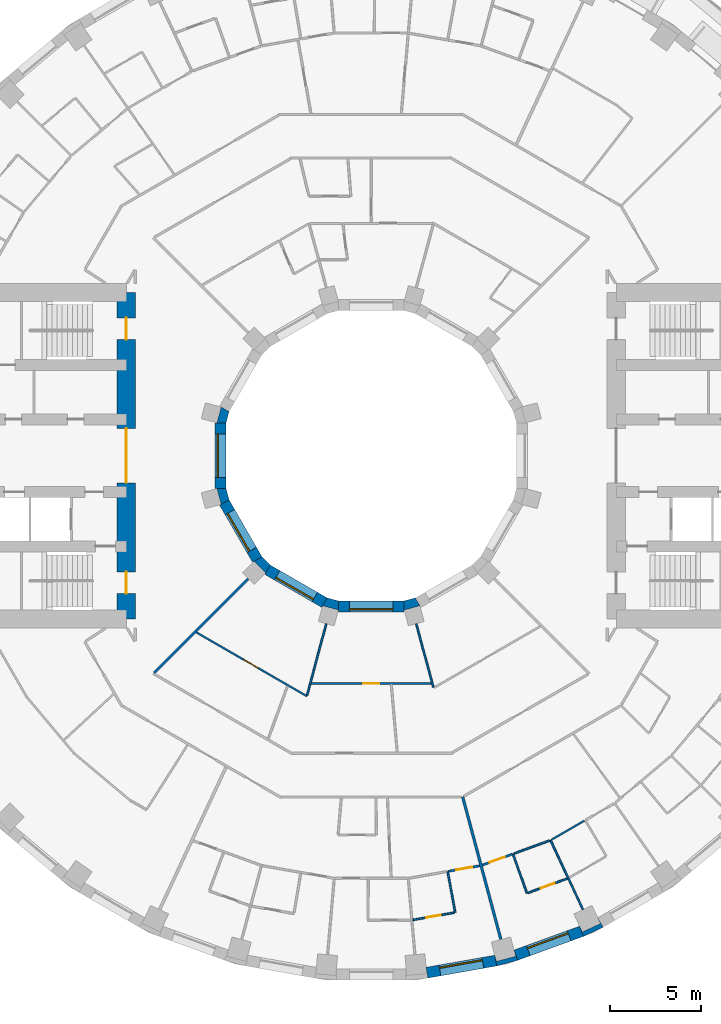
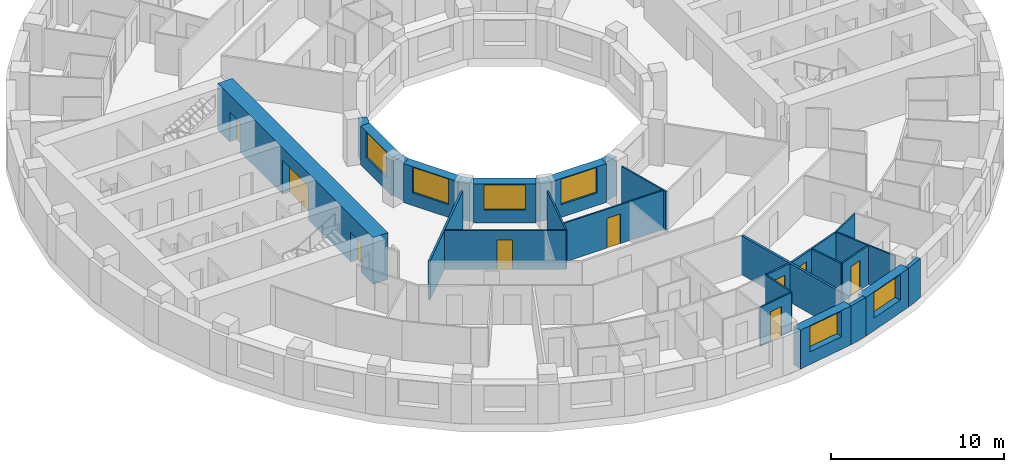
# One storey, part 6 of 15: 29 walls, 9 doors, 6 windows, 15 openings.
"""IFC4 building model written with IfcOpenShell, lengths in metres."""

from ifc_helpers import new_model, si_unit, direction, frame, frame_2d, origin, place, context, subcontext, project, spatial, polyline, rectangle, outline, extrude, material, layer, layer_set, type_object, element, fill, save


model = new_model("IFC4")

# Units and contexts
model_context = context("Model", 3, precision=1e-05, world=origin(), true_north=direction((0.0, 1.0)))
body_context = subcontext(model_context, "Body", "Model", "MODEL_VIEW")
ifc_project = project(units=[si_unit("LENGTHUNIT", "METRE"), si_unit("AREAUNIT", "SQUARE_METRE"), si_unit("VOLUMEUNIT", "CUBIC_METRE"), si_unit("PLANEANGLEUNIT", "RADIAN"), si_unit("MASSUNIT", "GRAM", prefix="KILO")], contexts=[model_context])

# Site, building, storey
site_placement = place(None, origin())
site = spatial("IfcSite", under=ifc_project, at=site_placement, CompositionType="ELEMENT")
building_placement = place(site_placement, origin())
building = spatial("IfcBuilding", under=site, at=building_placement, Name="Saqina Gate Tower", CompositionType="ELEMENT")
storey_placement = place(building_placement, frame((0.0, 0.0, 72.5)))
storey = spatial("IfcBuildingStorey", under=building, at=storey_placement, Name="L20", CompositionType="ELEMENT", Elevation=72.5)

# Walls
ifc_material_1 = material(Name="Brick masonry (red)", Category="masonry")
wall_type_1 = type_object("IfcWallType", Name="BRICK PIER COPING RED", PredefinedType="SOLIDWALL", material=ifc_material_1)
wall_1_placement = place(storey_placement, origin())
element("IfcWall", 1, at=wall_1_placement, inside=storey, type_object=wall_type_1, Name="Pier cap L20 column 29", PredefinedType="SOLIDWALL", context=body_context, shape_type="SweptSolid", body=[
    extrude(outline(polyline([(6.910400390625, -28.11669921875), (8.073974609375, -27.80517578125), (7.86865234375, -27.2412109375), (7.95947265625, -27.57958984375), (6.896728515625, -27.864501953125), (6.80615234375, -27.52587890625), (6.910400390625, -28.11669921875)])), origin(), (0.0, 0.0, 1.0), 2.75),
])
wall_2_placement = place(storey_placement, origin())
element("IfcWall", 2, at=wall_2_placement, inside=storey, type_object=wall_type_1, Name="Pier cap L20 column 30", PredefinedType="SOLIDWALL", context=body_context, shape_type="SweptSolid", body=[
    extrude(outline(polyline([(12.779541015625, -25.980712890625), (12.4794921875, -25.4609375), (12.627685546875, -25.778564453125), (11.630615234375, -26.243408203125), (11.482666015625, -25.92578125), (11.687744140625, -26.48974609375), (12.779541015625, -25.980712890625)])), origin(), (0.0, 0.0, 1.0), 2.75),
])

# Wall, opening, window
ifc_material_2 = material(Name="Brick masonry (red)", Category="masonry")
ifc_layer_1 = layer(ifc_material_2, 0.60009765625)
ifc_layer_set_1 = layer_set([ifc_layer_1], Name="FW-BRICK-RED")
wall_type_2 = type_object("IfcWallType", Name="FW-BRICK-RED", PredefinedType="SOLIDWALL", material=ifc_layer_set_1)
wall_3_placement = place(storey_placement, frame((3.07080078125, -28.4892578125, 0.0), z_axis=(0.0, 0.0, 1.0), x_axis=(0.984800809218, 0.173687553279, 0.0)))
wall_3 = element("IfcWall", 3, at=wall_3_placement, inside=storey, type_object=wall_type_2, Name="Facade wall L20 facet 28", PredefinedType="SOLIDWALL", context=body_context, shape_type="SweptSolid", body=[
    extrude(rectangle(XDim=3.845703125, YDim=0.60009765625, at=frame_2d((1.9228515625, 0.0))), origin(), (0.0, 0.0, 1.0), 2.75),
])
opening_1_placement = place(wall_3_placement, frame((0.722900390625, 0.0, 0.89990234375)))
opening_1 = element("IfcOpeningElement", 4, at=opening_1_placement, cuts=wall_3, Name="Opening G05-W17", PredefinedType="OPENING", context=body_context, shape_type="SweptSolid", body=[
    extrude(rectangle(XDim=2.39990234375, YDim=1.800048828125, at=frame_2d((1.199951171875, 0.89990234375))), frame((0.0, 0.31201171875, 0.0), z_axis=(0.0, -1.0, 0.0), x_axis=(1.0, 0.0, 0.0)), (0.0, 0.0, 1.0), 0.6240234375),
])
ifc_material_3 = material(Name="Aluminium glazing", Category="aluminium")
window_type_1 = type_object("IfcWindowType", Name="WN-A", PartitioningType="SINGLE_PANEL", PredefinedType="WINDOW", material=ifc_material_3)
window_1_placement = place(opening_1_placement, origin())
window_1 = element("IfcWindow", 5, at=window_1_placement, inside=storey, type_object=window_type_1, Name="Window L20 facet 28", OverallHeight=1.800048828125, OverallWidth=2.39990234375, PartitioningType="SINGLE_PANEL", PredefinedType="WINDOW", context=body_context, shape_type="SweptSolid", body=[
    extrude(rectangle(XDim=2.39990234375, YDim=1.800048828125, at=frame_2d((1.199951171875, 0.89990234375))), frame((0.0, 0.179931640625, 0.0), z_axis=(0.0, -1.0, 0.0), x_axis=(1.0, 0.0, 0.0)), (0.0, 0.0, 1.0), 0.06005859375),
])
fill(opening_1, window_1)

wall_4_placement = place(storey_placement, frame((7.97119140625, -27.523193359375, 0.0), z_axis=(0.0, 0.0, 1.0), x_axis=(0.939689588564, 0.342028474173, 0.0)))
wall_4 = element("IfcWall", 6, at=wall_4_placement, inside=storey, type_object=wall_type_2, Name="Facade wall L20 facet 29", PredefinedType="SOLIDWALL", context=body_context, shape_type="SweptSolid", body=[
    extrude(rectangle(XDim=3.845947265625, YDim=0.60009765625, at=frame_2d((1.9228515625, 0.0))), origin(), (0.0, 0.0, 1.0), 2.75),
])
opening_2_placement = place(wall_4_placement, frame((0.722900390625, 0.0, 0.89990234375)))
opening_2 = element("IfcOpeningElement", 7, at=opening_2_placement, cuts=wall_4, Name="Opening G05-W18", PredefinedType="OPENING", context=body_context, shape_type="SweptSolid", body=[
    extrude(rectangle(XDim=2.39990234375, YDim=1.800048828125, at=frame_2d((1.199951171875, 0.89990234375))), frame((0.0, 0.31201171875, 0.0), z_axis=(0.0, -1.0, 0.0), x_axis=(1.0, 0.0, 0.0)), (0.0, 0.0, 1.0), 0.6240234375),
])
window_2_placement = place(opening_2_placement, origin())
window_2 = element("IfcWindow", 8, at=window_2_placement, inside=storey, type_object=window_type_1, Name="Window L20 facet 29", OverallHeight=1.800048828125, OverallWidth=2.39990234375, PartitioningType="SINGLE_PANEL", PredefinedType="WINDOW", context=body_context, shape_type="SweptSolid", body=[
    extrude(rectangle(XDim=2.39990234375, YDim=1.800048828125, at=frame_2d((1.199951171875, 0.89990234375))), frame((0.0, 0.179931640625, 0.0), z_axis=(0.0, -1.0, 0.0), x_axis=(1.0, 0.0, 0.0)), (0.0, 0.0, 1.0), 0.06005859375),
])
fill(opening_2, window_2)

ifc_material_4 = material(Name="Glazed ceramic tile", Category="ceramic")
ifc_layer_2 = layer(ifc_material_4, 0.60009765625)
ifc_layer_set_2 = layer_set([ifc_layer_2], Name="IW-TILE")
wall_type_3 = type_object("IfcWallType", Name="IW-TILE", PredefinedType="SOLIDWALL", material=ifc_layer_set_2)
wall_5_placement = place(storey_placement, frame((-8.300048828125, 1.8125, 0.0), z_axis=(0.0, 0.0, 1.0), x_axis=(0.0, -1.0, 0.0)))
wall_5 = element("IfcWall", 9, at=wall_5_placement, inside=storey, type_object=wall_type_3, Name="Well wall L20 facet 6", PredefinedType="SOLIDWALL", context=body_context, shape_type="SweptSolid", body=[
    extrude(rectangle(XDim=3.625, YDim=0.60009765625, at=frame_2d((1.8125, 0.0))), origin(), (0.0, 0.0, 1.0), 2.75),
])
opening_3_placement = place(wall_5_placement, frame((0.612548828125, 0.0, 0.89990234375)))
opening_3 = element("IfcOpeningElement", 10, at=opening_3_placement, cuts=wall_5, Name="Opening G05-W28", PredefinedType="OPENING", context=body_context, shape_type="SweptSolid", body=[
    extrude(rectangle(XDim=2.39990234375, YDim=1.800048828125, at=frame_2d((1.199951171875, 0.89990234375))), frame((0.0, 0.31201171875, 0.0), z_axis=(0.0, -1.0, 0.0), x_axis=(1.0, 0.0, 0.0)), (0.0, 0.0, 1.0), 0.6240234375),
])
ifc_material_5 = material(Name="Aluminium glazing", Category="aluminium")
window_type_2 = type_object("IfcWindowType", Name="WN-W", PartitioningType="SINGLE_PANEL", PredefinedType="WINDOW", material=ifc_material_5)
window_3_placement = place(opening_3_placement, origin())
window_3 = element("IfcWindow", 11, at=window_3_placement, inside=storey, type_object=window_type_2, Name="Well window L20 facet 6", OverallHeight=1.800048828125, OverallWidth=2.39990234375, PartitioningType="SINGLE_PANEL", PredefinedType="WINDOW", context=body_context, shape_type="SweptSolid", body=[
    extrude(rectangle(XDim=2.39990234375, YDim=1.800048828125, at=frame_2d((1.199951171875, 0.89990234375))), frame((0.0, -0.119873046875, 0.0), z_axis=(0.0, -1.0, 0.0), x_axis=(1.0, 0.0, 0.0)), (0.0, 0.0, 1.0), 0.06005859375),
])
fill(opening_3, window_3)

wall_6_placement = place(storey_placement, frame((-8.09423828125, -2.580322265625, 0.0), z_axis=(0.0, 0.0, 1.0), x_axis=(0.499992569217, -0.866029693906, 0.0)))
wall_6 = element("IfcWall", 12, at=wall_6_placement, inside=storey, type_object=wall_type_3, Name="Well wall L20 facet 7", PredefinedType="SOLIDWALL", context=body_context, shape_type="SweptSolid", body=[
    extrude(rectangle(XDim=3.625, YDim=0.60009765625, at=frame_2d((1.8125, 0.0))), origin(), (0.0, 0.0, 1.0), 2.75),
])
opening_4_placement = place(wall_6_placement, frame((0.612548828125, 0.0, 0.89990234375)))
opening_4 = element("IfcOpeningElement", 13, at=opening_4_placement, cuts=wall_6, Name="Opening G05-W29", PredefinedType="OPENING", context=body_context, shape_type="SweptSolid", body=[
    extrude(rectangle(XDim=2.39990234375, YDim=1.800048828125, at=frame_2d((1.199951171875, 0.89990234375))), frame((0.0, 0.31201171875, 0.0), z_axis=(0.0, -1.0, 0.0), x_axis=(1.0, 0.0, 0.0)), (0.0, 0.0, 1.0), 0.6240234375),
])
window_4_placement = place(opening_4_placement, origin())
window_4 = element("IfcWindow", 14, at=window_4_placement, inside=storey, type_object=window_type_2, Name="Well window L20 facet 7", OverallHeight=1.800048828125, OverallWidth=2.39990234375, PartitioningType="SINGLE_PANEL", PredefinedType="WINDOW", context=body_context, shape_type="SweptSolid", body=[
    extrude(rectangle(XDim=2.39990234375, YDim=1.800048828125, at=frame_2d((1.199951171875, 0.89990234375))), frame((0.0, -0.119873046875, 0.0), z_axis=(0.0, -1.0, 0.0), x_axis=(1.0, 0.0, 0.0)), (0.0, 0.0, 1.0), 0.06005859375),
])
fill(opening_4, window_4)

wall_7_placement = place(storey_placement, frame((-5.7197265625, -6.28173828125, 0.0), z_axis=(0.0, 0.0, 1.0), x_axis=(0.866029693906, -0.499992569217, 0.0)))
wall_7 = element("IfcWall", 15, at=wall_7_placement, inside=storey, type_object=wall_type_3, Name="Well wall L20 facet 8", PredefinedType="SOLIDWALL", context=body_context, shape_type="SweptSolid", body=[
    extrude(rectangle(XDim=3.625, YDim=0.60009765625, at=frame_2d((1.8125, 0.0))), origin(), (0.0, 0.0, 1.0), 2.75),
])
opening_5_placement = place(wall_7_placement, frame((0.612548828125, 0.0, 0.89990234375)))
opening_5 = element("IfcOpeningElement", 16, at=opening_5_placement, cuts=wall_7, Name="Opening G05-W30", PredefinedType="OPENING", context=body_context, shape_type="SweptSolid", body=[
    extrude(rectangle(XDim=2.39990234375, YDim=1.800048828125, at=frame_2d((1.199951171875, 0.89990234375))), frame((0.0, 0.31201171875, 0.0), z_axis=(0.0, -1.0, 0.0), x_axis=(1.0, 0.0, 0.0)), (0.0, 0.0, 1.0), 0.6240234375),
])
window_5_placement = place(opening_5_placement, origin())
window_5 = element("IfcWindow", 17, at=window_5_placement, inside=storey, type_object=window_type_2, Name="Well window L20 facet 8", OverallHeight=1.800048828125, OverallWidth=2.39990234375, PartitioningType="SINGLE_PANEL", PredefinedType="WINDOW", context=body_context, shape_type="SweptSolid", body=[
    extrude(rectangle(XDim=2.39990234375, YDim=1.800048828125, at=frame_2d((1.199951171875, 0.89990234375))), frame((0.0, -0.119873046875, 0.0), z_axis=(0.0, -1.0, 0.0), x_axis=(1.0, 0.0, 0.0)), (0.0, 0.0, 1.0), 0.06005859375),
])
fill(opening_5, window_5)

wall_8_placement = place(storey_placement, frame((-1.8125, -8.300048828125, 0.0), z_axis=(0.0, 0.0, 1.0), x_axis=(1.0, 0.0, 0.0)))
wall_8 = element("IfcWall", 18, at=wall_8_placement, inside=storey, type_object=wall_type_3, Name="Well wall L20 facet 9", PredefinedType="SOLIDWALL", context=body_context, shape_type="SweptSolid", body=[
    extrude(rectangle(XDim=3.625, YDim=0.60009765625, at=frame_2d((1.8125, 0.0))), origin(), (0.0, 0.0, 1.0), 2.75),
])
opening_6_placement = place(wall_8_placement, frame((0.612548828125, 0.0, 0.89990234375)))
opening_6 = element("IfcOpeningElement", 19, at=opening_6_placement, cuts=wall_8, Name="Opening G05-W31", PredefinedType="OPENING", context=body_context, shape_type="SweptSolid", body=[
    extrude(rectangle(XDim=2.39990234375, YDim=1.800048828125, at=frame_2d((1.199951171875, 0.89990234375))), frame((0.0, 0.31201171875, 0.0), z_axis=(0.0, -1.0, 0.0), x_axis=(1.0, 0.0, 0.0)), (0.0, 0.0, 1.0), 0.6240234375),
])
window_6_placement = place(opening_6_placement, origin())
window_6 = element("IfcWindow", 20, at=window_6_placement, inside=storey, type_object=window_type_2, Name="Well window L20 facet 9", OverallHeight=1.800048828125, OverallWidth=2.39990234375, PartitioningType="SINGLE_PANEL", PredefinedType="WINDOW", context=body_context, shape_type="SweptSolid", body=[
    extrude(rectangle(XDim=2.39990234375, YDim=1.800048828125, at=frame_2d((1.199951171875, 0.89990234375))), frame((0.0, -0.119873046875, 0.0), z_axis=(0.0, -1.0, 0.0), x_axis=(1.0, 0.0, 0.0)), (0.0, 0.0, 1.0), 0.06005859375),
])
fill(opening_6, window_6)

# Walls
ifc_material_6 = material(Name="Gypsum board on steel studs, 100 mm", Category="steel")
ifc_layer_3 = layer(ifc_material_6, 0.10009765625)
ifc_layer_set_3 = layer_set([ifc_layer_3], Name="PARTITION 100")
wall_type_4 = type_object("IfcWallType", Name="PARTITION 100", PredefinedType="PARTITIONING", material=ifc_layer_set_3)
wall_9_placement = place(storey_placement, frame((4.208984375, -22.906982421875, 0.0), z_axis=(0.0, 0.0, 1.0), x_axis=(0.180884135875, -0.983504412491, 0.0)))
element("IfcWall", 21, at=wall_9_placement, inside=storey, type_object=wall_type_4, Name="PARTITION PW3-10", PredefinedType="PARTITIONING", context=body_context, shape_type="SweptSolid", body=[
    extrude(rectangle(XDim=2.2998046875, YDim=0.10009765625, at=frame_2d((1.14990234375, 0.0))), origin(), (0.0, 0.0, 1.0), 2.75),
])
wall_10_placement = place(storey_placement, frame((2.48291015625, -9.265380859375, 0.0), z_axis=(0.0, 0.0, 1.0), x_axis=(0.258862308746, -0.965914232792, 0.0)))
element("IfcWall", 22, at=wall_10_placement, inside=storey, type_object=wall_type_4, Name="PARTITION PW3-14", PredefinedType="PARTITIONING", context=body_context, shape_type="SweptSolid", body=[
    extrude(rectangle(XDim=3.609375, YDim=0.10009765625, at=frame_2d((1.8046875, 0.0))), origin(), (0.0, 0.0, 1.0), 2.75),
])
wall_11_placement = place(storey_placement, frame((7.80810546875, -21.94189453125, 0.0), z_axis=(0.0, 0.0, 1.0), x_axis=(0.335206501266, -0.942144681835, 0.0)))
element("IfcWall", 23, at=wall_11_placement, inside=storey, type_object=wall_type_4, Name="PARTITION PW3-16", PredefinedType="PARTITIONING", context=body_context, shape_type="SweptSolid", body=[
    extrude(rectangle(XDim=2.300048828125, YDim=0.10009765625, at=frame_2d((1.14990234375, 0.0))), origin(), (0.0, 0.0, 1.0), 2.75),
])
wall_12_placement = place(storey_placement, frame((9.8798828125, -21.18798828125, 0.0), z_axis=(0.0, 0.0, 1.0), x_axis=(0.422631582156, -0.906301575506, 0.0)))
element("IfcWall", 24, at=wall_12_placement, inside=storey, type_object=wall_type_4, Name="PARTITION PW3-20", PredefinedType="PARTITIONING", context=body_context, shape_type="SweptSolid", body=[
    extrude(rectangle(XDim=4.211669921875, YDim=0.10009765625, at=frame_2d((2.10595703125, 0.0))), origin(), (0.0, 0.0, 1.0), 2.75),
])

# Wall, opening, door
wall_13_placement = place(storey_placement, frame((-9.645751953125, -9.731201171875, 0.0), z_axis=(0.0, 0.0, 1.0), x_axis=(0.866059669785, -0.49994064485, 0.0)))
wall_13 = element("IfcWall", 25, at=wall_13_placement, inside=storey, type_object=wall_type_4, Name="PARTITION PW3-44", PredefinedType="PARTITIONING", context=body_context, shape_type="SweptSolid", body=[
    extrude(rectangle(XDim=7.038330078125, YDim=0.10009765625, at=frame_2d((3.51904296875, 0.0))), origin(), (0.0, 0.0, 1.0), 2.75),
])
opening_7_placement = place(wall_13_placement, frame((3.0380859375, 0.0, 0.0)))
opening_7 = element("IfcOpeningElement", 26, at=opening_7_placement, cuts=wall_13, Name="Opening G05-D39", PredefinedType="OPENING", context=body_context, shape_type="SweptSolid", body=[
    extrude(rectangle(XDim=0.89990234375, YDim=2.10009765625, at=frame_2d((0.449951171875, 1.050048828125))), frame((0.0, 0.06201171875, 0.0), z_axis=(0.0, -1.0, 0.0), x_axis=(1.0, 0.0, 0.0)), (0.0, 0.0, 1.0), 0.1240234375),
])
ifc_material_7 = material(Name="Timber door leaf, 900 mm", Category="wood")
door_type_1 = type_object("IfcDoorType", Name="DOOR 900 TIMBER", OperationType="SINGLE_SWING_LEFT", PredefinedType="DOOR", material=ifc_material_7)
door_1_placement = place(opening_7_placement, origin())
door_1 = element("IfcDoor", 27, at=door_1_placement, inside=storey, type_object=door_type_1, Name="DOOR G05-D39", OperationType="SINGLE_SWING_LEFT", OverallHeight=2.10009765625, OverallWidth=0.89990234375, PredefinedType="DOOR", context=body_context, shape_type="SweptSolid", body=[
    extrude(rectangle(XDim=0.89990234375, YDim=2.10009765625, at=frame_2d((0.449951171875, 1.050048828125))), frame((0.0, 0.02490234375, 0.0), z_axis=(0.0, -1.0, 0.0), x_axis=(1.0, 0.0, 0.0)), (0.0, 0.0, 1.0), 0.050048828125),
])
fill(opening_7, door_1)

wall_14_placement = place(storey_placement, frame((-3.3125, -12.550048828125, 0.0), z_axis=(0.0, 0.0, 1.0), x_axis=(1.0, 0.0, 0.0)))
wall_14 = element("IfcWall", 28, at=wall_14_placement, inside=storey, type_object=wall_type_4, Name="PARTITION PW3-61", PredefinedType="PARTITIONING", context=body_context, shape_type="SweptSolid", body=[
    extrude(rectangle(XDim=6.62548828125, YDim=0.10009765625, at=frame_2d((3.312744140625, 0.0))), origin(), (0.0, 0.0, 1.0), 2.75),
])
opening_8_placement = place(wall_14_placement, frame((2.862548828125, 0.0, 0.0)))
opening_8 = element("IfcOpeningElement", 29, at=opening_8_placement, cuts=wall_14, Name="Opening G05-D49", PredefinedType="OPENING", context=body_context, shape_type="SweptSolid", body=[
    extrude(rectangle(XDim=0.89990234375, YDim=2.10009765625, at=frame_2d((0.449951171875, 1.050048828125))), frame((0.0, 0.06201171875, 0.0), z_axis=(0.0, -1.0, 0.0), x_axis=(1.0, 0.0, 0.0)), (0.0, 0.0, 1.0), 0.1240234375),
])
door_2_placement = place(opening_8_placement, frame((0.89990234375, 0.0, 0.0), z_axis=(0.0, 0.0, 1.0), x_axis=(-1.0, 0.0, 0.0)))
door_2 = element("IfcDoor", 30, at=door_2_placement, inside=storey, type_object=door_type_1, Name="DOOR G05-D49", OperationType="SINGLE_SWING_RIGHT", OverallHeight=2.10009765625, OverallWidth=0.89990234375, PredefinedType="DOOR", context=body_context, shape_type="SweptSolid", body=[
    extrude(rectangle(XDim=0.89990234375, YDim=2.10009765625, at=frame_2d((0.449951171875, 1.050048828125))), frame((0.0, 0.02490234375, 0.0), z_axis=(0.0, -1.0, 0.0), x_axis=(1.0, 0.0, 0.0)), (0.0, 0.0, 1.0), 0.050048828125),
])
fill(opening_8, door_2)

wall_15_placement = place(storey_placement, frame((2.288330078125, -25.581298828125, 0.0), z_axis=(0.0, 0.0, 1.0), x_axis=(0.984789907179, 0.173749356022, 0.0)))
wall_15 = element("IfcWall", 31, at=wall_15_placement, inside=storey, type_object=wall_type_4, Name="PARTITION PW3-67", PredefinedType="PARTITIONING", context=body_context, shape_type="SweptSolid", body=[
    extrude(rectangle(XDim=2.32275390625, YDim=0.10009765625, at=frame_2d((1.161376953125, 0.0))), origin(), (0.0, 0.0, 1.0), 2.75),
])
opening_9_placement = place(wall_15_placement, frame((0.761474609375, 0.0, 0.0)))
opening_9 = element("IfcOpeningElement", 32, at=opening_9_placement, cuts=wall_15, Name="Opening G05-D52", PredefinedType="OPENING", context=body_context, shape_type="SweptSolid", body=[
    extrude(rectangle(XDim=0.800048828125, YDim=2.10009765625, at=frame_2d((0.39990234375, 1.050048828125))), frame((0.0, 0.06201171875, 0.0), z_axis=(0.0, -1.0, 0.0), x_axis=(1.0, 0.0, 0.0)), (0.0, 0.0, 1.0), 0.1240234375),
])
ifc_material_8 = material(Name="Timber door leaf, 800 mm", Category="wood")
door_type_2 = type_object("IfcDoorType", Name="DOOR 800 TIMBER", OperationType="SINGLE_SWING_LEFT", PredefinedType="DOOR", material=ifc_material_8)
door_3_placement = place(opening_9_placement, frame((0.800048828125, 0.0, 0.0), z_axis=(0.0, 0.0, 1.0), x_axis=(-1.0, 0.0, 0.0)))
door_3 = element("IfcDoor", 33, at=door_3_placement, inside=storey, type_object=door_type_2, Name="DOOR G05-D52", OperationType="SINGLE_SWING_RIGHT", OverallHeight=2.10009765625, OverallWidth=0.800048828125, PredefinedType="DOOR", context=body_context, shape_type="SweptSolid", body=[
    extrude(rectangle(XDim=0.800048828125, YDim=2.10009765625, at=frame_2d((0.39990234375, 1.050048828125))), frame((0.0, 0.02490234375, 0.0), z_axis=(0.0, -1.0, 0.0), x_axis=(1.0, 0.0, 0.0)), (0.0, 0.0, 1.0), 0.050048828125),
])
fill(opening_9, door_3)

wall_16_placement = place(storey_placement, frame((8.6259765625, -24.091796875, 0.0), z_axis=(0.0, 0.0, 1.0), x_axis=(0.939814902169, 0.341683990936, 0.0)))
wall_16 = element("IfcWall", 34, at=wall_16_placement, inside=storey, type_object=wall_type_4, Name="PARTITION PW3-71", PredefinedType="PARTITIONING", context=body_context, shape_type="SweptSolid", body=[
    extrude(rectangle(XDim=2.322998046875, YDim=0.10009765625, at=frame_2d((1.16162109375, 0.0))), origin(), (0.0, 0.0, 1.0), 2.75),
])
opening_10_placement = place(wall_16_placement, frame((0.761474609375, 0.0, 0.0)))
opening_10 = element("IfcOpeningElement", 35, at=opening_10_placement, cuts=wall_16, Name="Opening G05-D55", PredefinedType="OPENING", context=body_context, shape_type="SweptSolid", body=[
    extrude(rectangle(XDim=0.800048828125, YDim=2.10009765625, at=frame_2d((0.39990234375, 1.050048828125))), frame((0.0, 0.06201171875, 0.0), z_axis=(0.0, -1.0, 0.0), x_axis=(1.0, 0.0, 0.0)), (0.0, 0.0, 1.0), 0.1240234375),
])
door_4_placement = place(opening_10_placement, frame((0.800048828125, 0.0, 0.0), z_axis=(0.0, 0.0, 1.0), x_axis=(-1.0, 0.0, 0.0)))
door_4 = element("IfcDoor", 36, at=door_4_placement, inside=storey, type_object=door_type_2, Name="DOOR G05-D55", OperationType="SINGLE_SWING_RIGHT", OverallHeight=2.10009765625, OverallWidth=0.800048828125, PredefinedType="DOOR", context=body_context, shape_type="SweptSolid", body=[
    extrude(rectangle(XDim=0.800048828125, YDim=2.10009765625, at=frame_2d((0.39990234375, 1.050048828125))), frame((0.0, 0.02490234375, 0.0), z_axis=(0.0, -1.0, 0.0), x_axis=(1.0, 0.0, 0.0)), (0.0, 0.0, 1.0), 0.050048828125),
])
fill(opening_10, door_4)

# Walls
for number, where, z_axis, x_axis, name in (
    (37, (7.85498046875, -21.9248046875, 0.0), (0.0, 0.0, 1.0), (0.939725675468, 0.341929312674, 0.0), "PARTITION PW3-72"),
    (38, (9.92333984375, -21.1630859375, 0.0), (0.0, 0.0, 1.0), (0.866158552195, 0.499769309241, 0.0), "PARTITION PW3-76"),
):
    element("IfcWall", number, at=place(storey_placement, frame(where, z_axis=z_axis, x_axis=x_axis)), inside=storey, type_object=wall_type_4, Name=name, PredefinedType="PARTITIONING", context=body_context, shape_type="SweptSolid", body=[
        extrude(rectangle(XDim=2.10498046875, YDim=0.10009765625, at=frame_2d((1.052490234375, 0.0))), origin(), (0.0, 0.0, 1.0), 2.75),
    ])
wall_17_placement = place(storey_placement, frame((-3.537109375, -13.20166015625, 0.0), z_axis=(0.0, 0.0, 1.0), x_axis=(0.258810949593, 0.965927995438, 0.0)))
element("IfcWall", 39, at=wall_17_placement, inside=storey, type_object=wall_type_4, Name="PARTITION PW3-106", PredefinedType="PARTITIONING", context=body_context, shape_type="SweptSolid", body=[
    extrude(rectangle(XDim=4.0751953125, YDim=0.10009765625, at=frame_2d((2.03759765625, 0.0))), origin(), (0.0, 0.0, 1.0), 2.75),
])

# Wall, opening, door
ifc_material_9 = material(Name="Gypsum board on steel studs, 125 mm, fire rated", Category="steel")
ifc_layer_4 = layer(ifc_material_9, 0.125)
ifc_layer_set_4 = layer_set([ifc_layer_4], Name="PARTITION EI 30 125")
wall_type_5 = type_object("IfcWallType", Name="PARTITION EI 30 125", PredefinedType="PARTITIONING", material=ifc_layer_set_4)
wall_18_placement = place(storey_placement, frame((4.25830078125, -22.898193359375, 0.0), z_axis=(0.0, 0.0, 1.0), x_axis=(0.984792007097, 0.173737453525, 0.0)))
wall_18 = element("IfcWall", 40, at=wall_18_placement, inside=storey, type_object=wall_type_5, Name="PARTITION PW1-27", PredefinedType="PARTITIONING", context=body_context, shape_type="SweptSolid", body=[
    extrude(rectangle(XDim=1.745361328125, YDim=0.125, at=frame_2d((0.87255859375, 0.0))), origin(), (0.0, 0.0, 1.0), 2.75),
])
opening_11_placement = place(wall_18_placement, frame((0.435302734375, 0.0, 0.0)))
opening_11 = element("IfcOpeningElement", 41, at=opening_11_placement, cuts=wall_18, Name="Opening G05-D53", PredefinedType="OPENING", context=body_context, shape_type="SweptSolid", body=[
    extrude(rectangle(XDim=0.89990234375, YDim=2.10009765625, at=frame_2d((0.449951171875, 1.050048828125))), frame((0.0, 0.074462890625, 0.0), z_axis=(0.0, -1.0, 0.0), x_axis=(1.0, 0.0, 0.0)), (0.0, 0.0, 1.0), 0.14892578125),
])
ifc_material_10 = material(Name="Fire door leaf EI 30, 900 mm")
door_type_3 = type_object("IfcDoorType", Name="DOOR 900 EI 30", OperationType="SINGLE_SWING_LEFT", PredefinedType="DOOR", material=ifc_material_10)
door_5_placement = place(opening_11_placement, origin())
door_5 = element("IfcDoor", 42, at=door_5_placement, inside=storey, type_object=door_type_3, Name="DOOR G05-D53", OperationType="SINGLE_SWING_RIGHT", OverallHeight=2.10009765625, OverallWidth=0.89990234375, PredefinedType="DOOR", context=body_context, shape_type="SweptSolid", body=[
    extrude(rectangle(XDim=0.89990234375, YDim=2.10009765625, at=frame_2d((0.449951171875, 1.050048828125))), frame((0.0, 0.02490234375, 0.0), z_axis=(0.0, -1.0, 0.0), x_axis=(1.0, 0.0, 0.0)), (0.0, 0.0, 1.0), 0.050048828125),
])
fill(opening_11, door_5)

wall_19_placement = place(storey_placement, frame((6.12158203125, -22.556396484375, 0.0), z_axis=(0.0, 0.0, 1.0), x_axis=(0.939605351125, 0.342259819635, 0.0)))
wall_19 = element("IfcWall", 43, at=wall_19_placement, inside=storey, type_object=wall_type_5, Name="PARTITION PW1-29", PredefinedType="PARTITIONING", context=body_context, shape_type="SweptSolid", body=[
    extrude(rectangle(XDim=1.744873046875, YDim=0.125, at=frame_2d((0.87255859375, 0.0))), origin(), (0.0, 0.0, 1.0), 2.75),
])
opening_12_placement = place(wall_19_placement, frame((0.409912109375, 0.0, 0.0)))
opening_12 = element("IfcOpeningElement", 44, at=opening_12_placement, cuts=wall_19, Name="Opening G05-D54", PredefinedType="OPENING", context=body_context, shape_type="SweptSolid", body=[
    extrude(rectangle(XDim=0.89990234375, YDim=2.10009765625, at=frame_2d((0.449951171875, 1.050048828125))), frame((0.0, 0.074462890625, 0.0), z_axis=(0.0, -1.0, 0.0), x_axis=(1.0, 0.0, 0.0)), (0.0, 0.0, 1.0), 0.14892578125),
])
door_6_placement = place(opening_12_placement, origin())
door_6 = element("IfcDoor", 45, at=door_6_placement, inside=storey, type_object=door_type_3, Name="DOOR G05-D54", OperationType="SINGLE_SWING_LEFT", OverallHeight=2.10009765625, OverallWidth=0.89990234375, PredefinedType="DOOR", context=body_context, shape_type="SweptSolid", body=[
    extrude(rectangle(XDim=0.89990234375, YDim=2.10009765625, at=frame_2d((0.449951171875, 1.050048828125))), frame((0.0, 0.02490234375, 0.0), z_axis=(0.0, -1.0, 0.0), x_axis=(1.0, 0.0, 0.0)), (0.0, 0.0, 1.0), 0.050048828125),
])
fill(opening_12, door_6)

# Walls
wall_20_placement = place(storey_placement, frame((-11.9619140625, -11.9619140625, 0.0), z_axis=(0.0, 0.0, 1.0), x_axis=(0.707106781187, 0.707106781187, 0.0)))
element("IfcWall", 46, at=wall_20_placement, inside=storey, type_object=wall_type_5, Name="PARTITION PW1-42", PredefinedType="PARTITIONING", context=body_context, shape_type="SweptSolid", body=[
    extrude(rectangle(XDim=7.324462890625, YDim=0.125, at=frame_2d((3.662109375, 0.0))), origin(), (0.0, 0.0, 1.0), 2.75),
])
ifc_material_11 = material(Name="Gypsum board on steel studs, 150 mm, fire rated", Category="steel")
ifc_layer_5 = layer(ifc_material_11, 0.14990234375)
ifc_layer_set_5 = layer_set([ifc_layer_5], Name="PARTITION EI 60 150")
wall_type_6 = type_object("IfcWallType", Name="PARTITION EI 60 150", PredefinedType="PARTITIONING", material=ifc_layer_set_5)
wall_21_placement = place(storey_placement, frame((5.037109375, -18.800048828125, 0.0), z_axis=(0.0, 0.0, 1.0), x_axis=(0.258808663505, -0.96592860797, 0.0)))
element("IfcWall", 47, at=wall_21_placement, inside=storey, type_object=wall_type_6, Name="PARTITION PW2-01", PredefinedType="PARTITIONING", context=body_context, shape_type="SweptSolid", body=[
    extrude(rectangle(XDim=8.126708984375, YDim=0.14990234375, at=frame_2d((4.0634765625, 0.0))), origin(), (0.0, 0.0, 1.0), 2.75),
])

# Wall, openings, doors
ifc_material_12 = material(Name="Concrete C70/85", Category="concrete")
ifc_layer_6 = layer(ifc_material_12, 1.0)
ifc_layer_set_6 = layer_set([ifc_layer_6], Name="Concrete C70/85")
wall_type_7 = type_object("IfcWallType", Name="STR-CORE WALL-A-O", PredefinedType="SHEAR", material=ifc_layer_set_6)
wall_22_placement = place(storey_placement, frame((-13.5, -9.0, 0.0), z_axis=(0.0, 0.0, 1.0), x_axis=(0.0, 1.0, 0.0)))
wall_22 = element("IfcWall", 48, at=wall_22_placement, inside=storey, type_object=wall_type_7, Name="CORE WALL L20 W-W1", PredefinedType="SHEAR", context=body_context, shape_type="SweptSolid", body=[
    extrude(rectangle(XDim=18.0, YDim=1.0, at=frame_2d((9.0, 0.0))), origin(), (0.0, 0.0, 1.0), 3.300048828125),
])
opening_13_placement = place(wall_22_placement, frame((15.39990234375, 0.0, 0.0)))
opening_13 = element("IfcOpeningElement", 49, at=opening_13_placement, cuts=wall_22, Name="Opening G05-D119", PredefinedType="OPENING", context=body_context, shape_type="SweptSolid", body=[
    extrude(rectangle(XDim=1.199951171875, YDim=2.10009765625, at=frame_2d((0.60009765625, 1.050048828125))), frame((0.0, 0.511962890625, 0.0), z_axis=(0.0, -1.0, 0.0), x_axis=(1.0, 0.0, 0.0)), (0.0, 0.0, 1.0), 1.02392578125),
])
opening_14_placement = place(wall_22_placement, frame((1.39990234375, 0.0, 0.0)))
opening_14 = element("IfcOpeningElement", 50, at=opening_14_placement, cuts=wall_22, Name="Opening G05-D120", PredefinedType="OPENING", context=body_context, shape_type="SweptSolid", body=[
    extrude(rectangle(XDim=1.199951171875, YDim=2.10009765625, at=frame_2d((0.60009765625, 1.050048828125))), frame((0.0, 0.511962890625, 0.0), z_axis=(0.0, -1.0, 0.0), x_axis=(1.0, 0.0, 0.0)), (0.0, 0.0, 1.0), 1.02392578125),
])
opening_15_placement = place(wall_22_placement, frame((7.5, 0.0, 0.0)))
opening_15 = element("IfcOpeningElement", 51, at=opening_15_placement, cuts=wall_22, Name="Opening G05-D121", PredefinedType="OPENING", context=body_context, shape_type="SweptSolid", body=[
    extrude(rectangle(XDim=3.0, YDim=2.39990234375, at=frame_2d((1.5, 1.199951171875))), frame((0.0, 0.511962890625, 0.0), z_axis=(0.0, -1.0, 0.0), x_axis=(1.0, 0.0, 0.0)), (0.0, 0.0, 1.0), 1.02392578125),
])
ifc_material_13 = material(Name="Steel", Category="steel")
door_type_4 = type_object("IfcDoorType", Name="FIRE DOOR EI 60", OperationType="SINGLE_SWING_LEFT", PredefinedType="DOOR", material=ifc_material_13)
door_7_placement = place(opening_13_placement, origin())
door_7 = element("IfcDoor", 52, at=door_7_placement, inside=storey, type_object=door_type_4, Name="L20-CD-W30", OperationType="SINGLE_SWING_RIGHT", OverallHeight=2.10009765625, OverallWidth=1.199951171875, PredefinedType="DOOR", context=body_context, shape_type="SweptSolid", body=[
    extrude(rectangle(XDim=1.199951171875, YDim=2.10009765625, at=frame_2d((0.60009765625, 1.050048828125))), frame((0.0, 0.02490234375, 0.0), z_axis=(0.0, -1.0, 0.0), x_axis=(1.0, 0.0, 0.0)), (0.0, 0.0, 1.0), 0.050048828125),
])
fill(opening_13, door_7)
door_8_placement = place(opening_14_placement, origin())
door_8 = element("IfcDoor", 53, at=door_8_placement, inside=storey, type_object=door_type_4, Name="L20-CD-W31", OperationType="SINGLE_SWING_LEFT", OverallHeight=2.10009765625, OverallWidth=1.199951171875, PredefinedType="DOOR", context=body_context, shape_type="SweptSolid", body=[
    extrude(rectangle(XDim=1.199951171875, YDim=2.10009765625, at=frame_2d((0.60009765625, 1.050048828125))), frame((0.0, 0.02490234375, 0.0), z_axis=(0.0, -1.0, 0.0), x_axis=(1.0, 0.0, 0.0)), (0.0, 0.0, 1.0), 0.050048828125),
])
fill(opening_14, door_8)
ifc_material_14 = material(Name="Steel and fire-resisting glass", Category="steel")
door_type_5 = type_object("IfcDoorType", Name="LOBBY SCREEN DOOR", OperationType="DOUBLE_DOOR_SLIDING", PredefinedType="DOOR", material=ifc_material_14)
door_9_placement = place(opening_15_placement, origin())
door_9 = element("IfcDoor", 54, at=door_9_placement, inside=storey, type_object=door_type_5, Name="L20-CD-W32", OperationType="DOUBLE_DOOR_SLIDING", OverallHeight=2.39990234375, OverallWidth=3.0, PredefinedType="DOOR", context=body_context, shape_type="SweptSolid", body=[
    extrude(rectangle(XDim=3.0, YDim=2.39990234375, at=frame_2d((1.5, 1.199951171875))), frame((0.0, 0.02490234375, 0.0), z_axis=(0.0, -1.0, 0.0), x_axis=(1.0, 0.0, 0.0)), (0.0, 0.0, 1.0), 0.050048828125),
])
fill(opening_15, door_9)

# Walls
ifc_material_15 = material(Name="Glazed ceramic tile", Category="ceramic")
wall_type_8 = type_object("IfcWallType", Name="TILE PIER COPING", PredefinedType="SOLIDWALL", material=ifc_material_15)
wall_23_placement = place(storey_placement, origin())
element("IfcWall", 55, at=wall_23_placement, inside=storey, type_object=wall_type_8, Name="Well pier cap L20 column 6", PredefinedType="SOLIDWALL", context=body_context, shape_type="SweptSolid", body=[
    extrude(outline(polyline([(-8.502685546875, 1.8125), (-8.0, 1.8125), (-7.83447265625, 2.430419921875), (-8.27001953125, 2.681884765625), (-8.502685546875, 1.8125)])), origin(), (0.0, 0.0, 1.0), 2.75),
])
wall_24_placement = place(storey_placement, origin())
element("IfcWall", 56, at=wall_24_placement, inside=storey, type_object=wall_type_8, Name="Well pier cap L20 column 7", PredefinedType="SOLIDWALL", context=body_context, shape_type="SweptSolid", body=[
    extrude(outline(polyline([(-8.27001953125, -2.681884765625), (-7.83447265625, -2.430419921875), (-8.0, -1.8125), (-8.502685546875, -1.8125), (-8.27001953125, -2.681884765625)])), origin(), (0.0, 0.0, 1.0), 2.75),
])
wall_25_placement = place(storey_placement, origin())
element("IfcWall", 57, at=wall_25_placement, inside=storey, type_object=wall_type_8, Name="Well pier cap L20 column 8", PredefinedType="SOLIDWALL", context=body_context, shape_type="SweptSolid", body=[
    extrude(outline(polyline([(-6.45751953125, -5.821044921875), (-5.821044921875, -6.45751953125), (-5.569580078125, -6.02197265625), (-6.02197265625, -5.569580078125), (-6.45751953125, -5.821044921875)])), origin(), (0.0, 0.0, 1.0), 2.75),
])
wall_26_placement = place(storey_placement, origin())
element("IfcWall", 58, at=wall_26_placement, inside=storey, type_object=wall_type_8, Name="Well pier cap L20 column 9", PredefinedType="SOLIDWALL", context=body_context, shape_type="SweptSolid", body=[
    extrude(outline(polyline([(-1.8125, -8.502685546875), (-1.8125, -8.0), (-2.430419921875, -7.83447265625), (-2.681884765625, -8.27001953125), (-1.8125, -8.502685546875)])), origin(), (0.0, 0.0, 1.0), 2.75),
])
wall_27_placement = place(storey_placement, origin())
element("IfcWall", 59, at=wall_27_placement, inside=storey, type_object=wall_type_8, Name="Well pier cap L20 column 10", PredefinedType="SOLIDWALL", context=body_context, shape_type="SweptSolid", body=[
    extrude(outline(polyline([(2.681884765625, -8.27001953125), (2.430419921875, -7.83447265625), (1.8125, -8.0), (1.8125, -8.502685546875), (2.681884765625, -8.27001953125)])), origin(), (0.0, 0.0, 1.0), 2.75),
])

save(model, "model.ifc")
